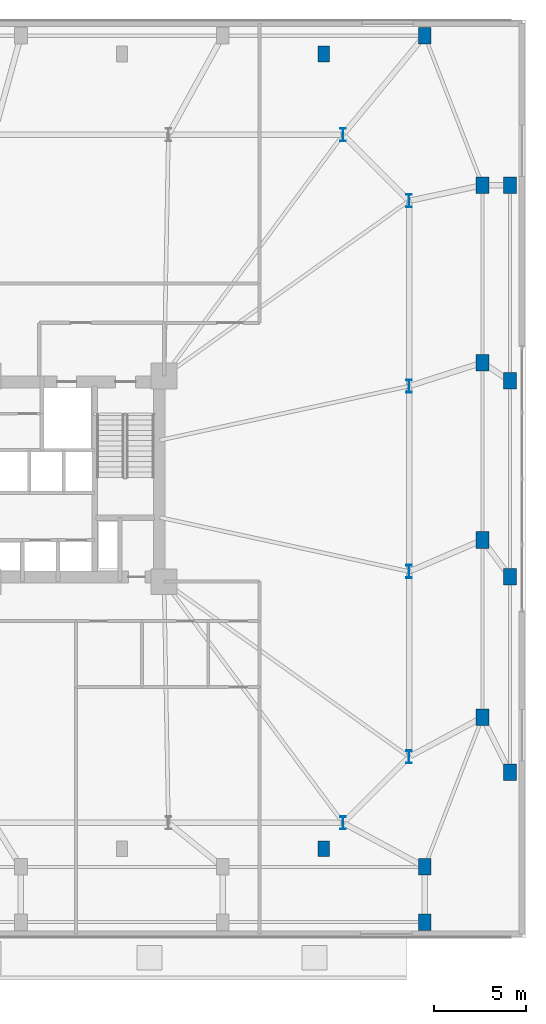
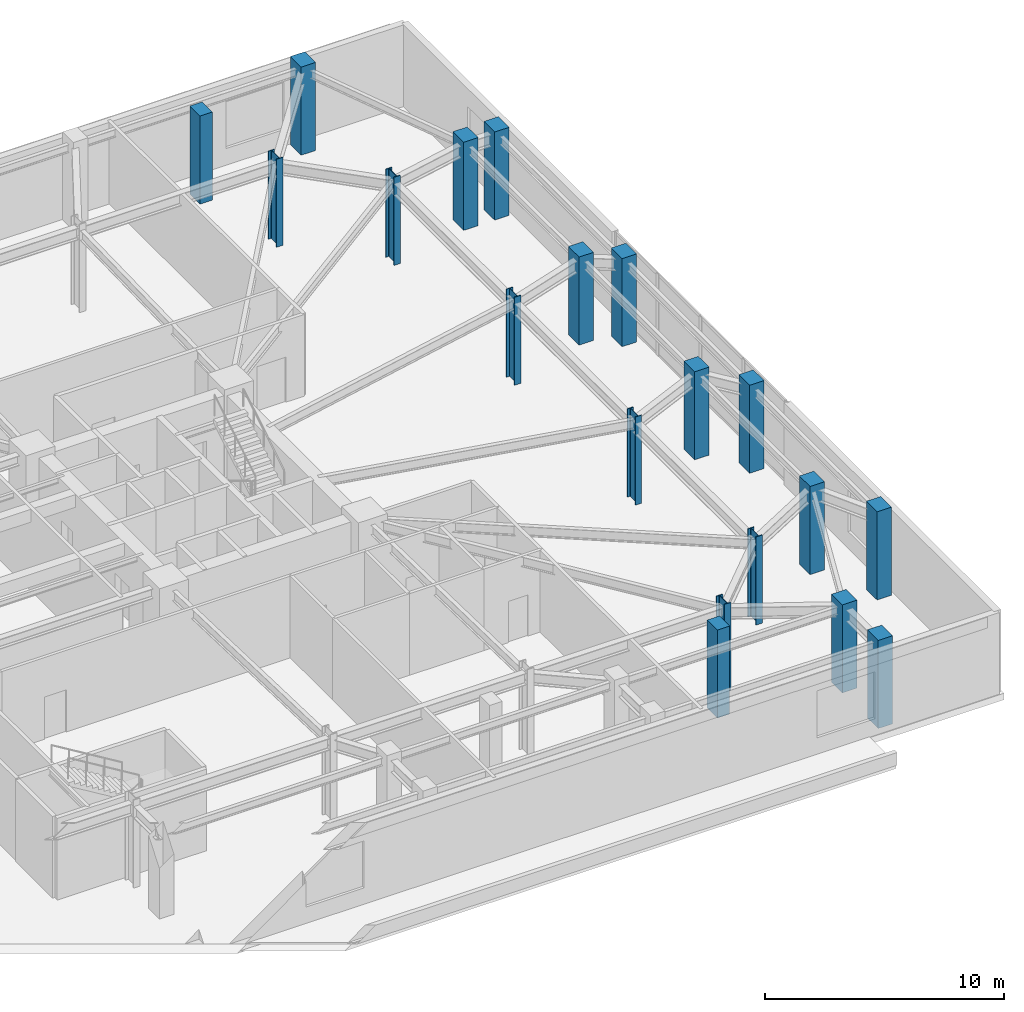
# One storey, part 3 of 21: 19 columns.
"""IFC4 building model written with IfcOpenShell, lengths in metres."""

from ifc_helpers import new_model, si_unit, direction, frame, origin, origin_2d, place, context, subcontext, project, spatial, rectangle, i_section, extrude, material, material_profile, profile_set, type_object, element, save


model = new_model("IFC4")

# Units and contexts
model_context = context("Model", 3, precision=1e-05, world=origin(), true_north=direction((0.0, 1.0)))
body_context = subcontext(model_context, "Body", "Model", "MODEL_VIEW")
ifc_project = project(units=[si_unit("LENGTHUNIT", "METRE"), si_unit("AREAUNIT", "SQUARE_METRE"), si_unit("VOLUMEUNIT", "CUBIC_METRE"), si_unit("PLANEANGLEUNIT", "RADIAN"), si_unit("MASSUNIT", "GRAM", prefix="KILO")], contexts=[model_context])

# Site, building, storey
site_placement = place(None, origin())
site = spatial("IfcSite", under=ifc_project, at=site_placement, CompositionType="ELEMENT")
building_placement = place(site_placement, origin())
building = spatial("IfcBuilding", under=site, at=building_placement, Name="Qobustan Lattice House", CompositionType="ELEMENT")
storey_placement = place(building_placement, frame((0.0, 0.0, 4.5)))
storey = spatial("IfcBuildingStorey", under=building, at=storey_placement, Name="L01", CompositionType="ELEMENT", Elevation=4.5)

# Columns
ifc_material_1 = material(Name="Concrete C50/60", Category="concrete")
ifc_material_profile_1 = material_profile(ifc_material_1, rectangle(XDim=0.60009765625, YDim=0.85009765625, at=origin_2d()), Name="RC600x850")
ifc_profile_set_1 = profile_set([ifc_material_profile_1], Name="Concrete C50/60")
column_type_1 = type_object("IfcColumnType", Name="COL-PIL-600x850", PredefinedType="PILASTER", material=ifc_profile_set_1)
for number, where, z_axis, x_axis, name in (
    (1, (27.5, -20.14990234375, 0.0), (0.0, 0.0, 1.0), (1.0, 0.0, 0.0), "L01 colonnade pilaster S4"),
    (2, (27.5, 23.14990234375, 0.0), (0.0, 0.0, 1.0), (1.0, 0.0, 0.0), "L01 colonnade pilaster N4"),
):
    element("IfcColumn", number, at=place(storey_placement, frame(where, z_axis=z_axis, x_axis=x_axis)), inside=storey, type_object=column_type_1, Name=name, PredefinedType="PILASTER", context=body_context, shape_type="SweptSolid", body=[
        extrude(rectangle(XDim=0.60009765625, YDim=0.85009765625, at=origin_2d()), origin(), (0.0, 0.0, 1.0), 4.5),
    ])
ifc_material_2 = material(Name="Concrete C50/60", Category="concrete")
ifc_material_profile_2 = material_profile(ifc_material_2, rectangle(XDim=0.699951171875, YDim=0.89990234375, at=origin_2d()), Name="RC700x900")
ifc_profile_set_2 = profile_set([ifc_material_profile_2], Name="Concrete C50/60")
column_type_2 = type_object("IfcColumnType", Name="COL-RC-700x900", PredefinedType="COLUMN", material=ifc_profile_set_2)
for number, where, z_axis, x_axis, name in (
    (3, (33.0, -21.14990234375, 0.0), (0.0, 0.0, 1.0), (1.0, 0.0, 0.0), "L01 podium column PS7"),
    (4, (33.0, 24.14990234375, 0.0), (0.0, 0.0, 1.0), (1.0, 0.0, 0.0), "L01 podium column PN7"),
    (5, (36.14990234375, -13.0, 0.0), (0.0, 0.0, 1.0), (1.0, 0.0, 0.0), "L01 podium column PE1"),
    (6, (36.14990234375, -3.333251953125, 0.0), (0.0, 0.0, 1.0), (1.0, 0.0, 0.0), "L01 podium column PE2"),
    (7, (36.14990234375, 6.33349609375, 0.0), (0.0, 0.0, 1.0), (1.0, 0.0, 0.0), "L01 podium column PE3"),
    (8, (36.14990234375, 16.0, 0.0), (0.0, 0.0, 1.0), (1.0, 0.0, 0.0), "L01 podium column PE4"),
    (9, (33.0, -24.14990234375, 0.0), (0.0, 0.0, 1.0), (1.0, 0.0, 0.0), "L01 lower podium perimeter column PSL7"),
    (10, (37.64990234375, -16.0, 0.0), (0.0, 0.0, 1.0), (1.0, 0.0, 0.0), "L01 lower podium perimeter column PEL1"),
    (11, (37.64990234375, -5.333251953125, 0.0), (0.0, 0.0, 1.0), (1.0, 0.0, 0.0), "L01 lower podium perimeter column PEL2"),
    (12, (37.64990234375, 5.33349609375, 0.0), (0.0, 0.0, 1.0), (1.0, 0.0, 0.0), "L01 lower podium perimeter column PEL3"),
    (13, (37.64990234375, 16.0, 0.0), (0.0, 0.0, 1.0), (1.0, 0.0, 0.0), "L01 lower podium perimeter column PEL4"),
):
    element("IfcColumn", number, at=place(storey_placement, frame(where, z_axis=z_axis, x_axis=x_axis)), inside=storey, type_object=column_type_2, Name=name, PredefinedType="COLUMN", context=body_context, shape_type="SweptSolid", body=[
        extrude(rectangle(XDim=0.699951171875, YDim=0.89990234375, at=origin_2d()), origin(), (0.0, 0.0, 1.0), 4.5),
    ])
ifc_material_3 = material(Name="Steel S460", Category="steel")
ifc_material_profile_3 = material_profile(ifc_material_3, i_section(OverallWidth=0.303955078125, OverallDepth=0.716064453125, WebThickness=0.02099609375, FlangeThickness=0.0400390625, FilletRadius=0.027099609375, at=origin_2d()), Name="HEM700")
ifc_profile_set_3 = profile_set([ifc_material_profile_3], Name="Steel S460")
column_type_3 = type_object("IfcColumnType", Name="COL-ST-HEM700", PredefinedType="COLUMN", material=ifc_profile_set_3)
for number, where, z_axis, x_axis, name in (
    (14, (28.550048828125, -18.75, 0.0), (0.0, 0.0, 1.0), (1.0, 0.0, 0.0), "L01 tower base column S7"),
    (15, (28.550048828125, 18.75, 0.0), (0.0, 0.0, 1.0), (1.0, 0.0, 0.0), "L01 tower base column N1"),
    (16, (32.14990234375, -15.14990234375, 0.0), (0.0, 0.0, 1.0), (1.0, 0.0, 0.0), "L01 tower base column E1"),
    (17, (32.14990234375, -5.050048828125, 0.0), (0.0, 0.0, 1.0), (1.0, 0.0, 0.0), "L01 tower base column E2"),
    (18, (32.14990234375, 5.050048828125, 0.0), (0.0, 0.0, 1.0), (1.0, 0.0, 0.0), "L01 tower base column E3"),
    (19, (32.14990234375, 15.14990234375, 0.0), (0.0, 0.0, 1.0), (1.0, 0.0, 0.0), "L01 tower base column E4"),
):
    element("IfcColumn", number, at=place(storey_placement, frame(where, z_axis=z_axis, x_axis=x_axis)), inside=storey, type_object=column_type_3, Name=name, PredefinedType="COLUMN", context=body_context, shape_type="SweptSolid", body=[
        extrude(i_section(OverallWidth=0.303955078125, OverallDepth=0.716064453125, WebThickness=0.02099609375, FlangeThickness=0.0400390625, FilletRadius=0.027099609375, at=origin_2d()), origin(), (0.0, 0.0, 1.0), 4.5),
    ])

save(model, "model.ifc")
